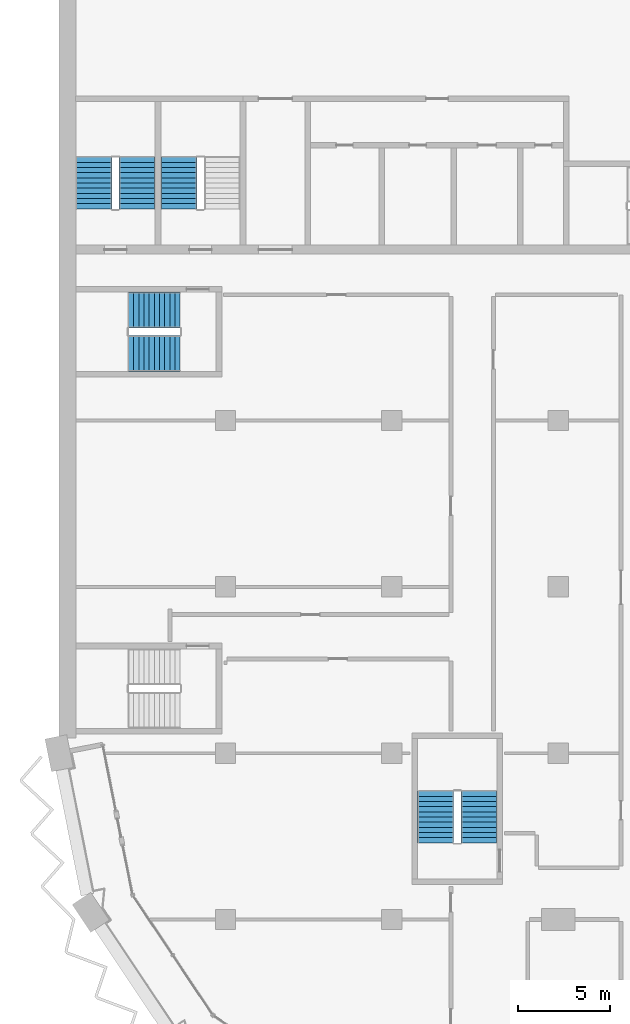
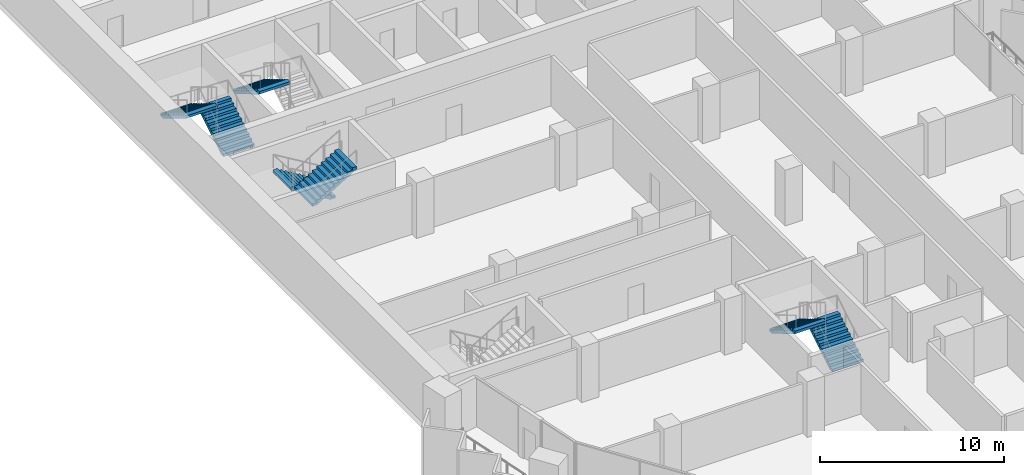
# One storey, part 12 of 17: 7 stair flights, 4 elements without a shape of their own.
"""IFC4 building model written with IfcOpenShell, lengths in metres."""

from ifc_helpers import new_model, si_unit, direction, frame, origin, place, context, subcontext, project, spatial, polyline, outline, extrude, material, type_object, element, aggregate, save


model = new_model("IFC4")

# Units and contexts
model_context = context("Model", 3, precision=1e-05, world=origin(), true_north=direction((0.0, 1.0)))
body_context = subcontext(model_context, "Body", "Model", "MODEL_VIEW")
ifc_project = project(units=[si_unit("LENGTHUNIT", "METRE"), si_unit("AREAUNIT", "SQUARE_METRE"), si_unit("VOLUMEUNIT", "CUBIC_METRE"), si_unit("PLANEANGLEUNIT", "RADIAN"), si_unit("MASSUNIT", "GRAM", prefix="KILO")], contexts=[model_context])

# Site, building, storey
site_placement = place(None, origin())
site = spatial("IfcSite", under=ifc_project, at=site_placement, CompositionType="ELEMENT")
building_placement = place(site_placement, origin())
building = spatial("IfcBuilding", under=site, at=building_placement, Name="Hunhe Ridgeline Campus", CompositionType="ELEMENT")
storey_placement = place(building_placement, frame((0.0, 0.0, 212.39990234375)))
storey = spatial("IfcBuildingStorey", under=building, at=storey_placement, Name="L54", CompositionType="ELEMENT", Elevation=212.39990234375)

# Stair, stair flights
ifc_material = material(Name="Concrete C40", Category="concrete")
stair_type = type_object("IfcStairType", Name="Reinforced concrete dog-leg stair 1950 Concrete C40", PredefinedType="HALF_TURN_STAIR", material=ifc_material)
stair_1_placement = place(storey_placement, origin())
stair_1 = element("IfcStair", 1, at=stair_1_placement, inside=storey, type_object=stair_type, Name="L54 S3", PredefinedType="HALF_TURN_STAIR")
stair_flight_type = type_object("IfcStairFlightType", Name="Reinforced concrete stair flight 1950 Concrete C40", PredefinedType="STRAIGHT", material=ifc_material)
stair_flight_1_placement = place(storey_placement, frame((4.22509765625, 65.449951171875, 0.0), z_axis=(0.0, 0.0, 1.0), x_axis=(0.0, 1.0, 0.0)))
stair_flight_1 = element("IfcStairFlight", 2, at=stair_flight_1_placement, type_object=stair_flight_type, Name="ST3 flight 1", NumberOfRisers=11, NumberOfTreads=10, PredefinedType="STRAIGHT", RiserHeight=0.168181818, TreadLength=0.28, context=body_context, shape_type="SweptSolid", body=[
    extrude(outline(polyline([(0.0, 0.0), (0.0, 0.168212890625), (0.280029296875, 0.168212890625), (0.280029296875, 0.33642578125), (0.56005859375, 0.33642578125), (0.56005859375, 0.504638671875), (0.840087890625, 0.504638671875), (0.840087890625, 0.672607421875), (1.1201171875, 0.672607421875), (1.1201171875, 0.8408203125), (1.39990234375, 0.8408203125), (1.39990234375, 1.009033203125), (1.679931640625, 1.009033203125), (1.679931640625, 1.17724609375), (1.9599609375, 1.17724609375), (1.9599609375, 1.345458984375), (2.239990234375, 1.345458984375), (2.239990234375, 1.513671875), (2.52001953125, 1.513671875), (2.52001953125, 1.681884765625), (2.800048828125, 1.681884765625), (2.800048828125, 1.85009765625), (2.800048828125, 1.5068359375), (0.291015625, 0.0), (0.0, 0.0)])), frame((0.0, 0.97509765625, 0.0), z_axis=(0.0, -1.0, 0.0), x_axis=(1.0, 0.0, 0.0)), (0.0, 0.0, 1.0), 1.949951171875),
    extrude(outline(polyline([(0.030029296875, 0.030029296875), (0.030029296875, 0.13818359375), (0.31005859375, 0.13818359375), (0.31005859375, 0.306396484375), (0.590087890625, 0.306396484375), (0.590087890625, 0.474609375), (0.8701171875, 0.474609375), (0.8701171875, 0.642578125), (1.14990234375, 0.642578125), (1.14990234375, 0.810791015625), (1.429931640625, 0.810791015625), (1.429931640625, 0.97900390625), (1.7099609375, 0.97900390625), (1.7099609375, 1.147216796875), (1.989990234375, 1.147216796875), (1.989990234375, 1.3154296875), (2.27001953125, 1.3154296875), (2.27001953125, 1.483642578125), (2.550048828125, 1.483642578125), (2.550048828125, 1.65185546875), (2.77001953125, 1.65185546875), (2.77001953125, 1.52392578125), (0.28271484375, 0.030029296875), (0.030029296875, 0.030029296875)])), frame((0.0, -0.070068359375, 0.0), z_axis=(0.0, -1.0, 0.0), x_axis=(1.0, 0.0, 0.0)), (0.0, 0.0, 1.0), 0.019775390625),
    extrude(outline(polyline([(0.030029296875, 0.030029296875), (0.030029296875, 0.13818359375), (0.31005859375, 0.13818359375), (0.31005859375, 0.306396484375), (0.590087890625, 0.306396484375), (0.590087890625, 0.474609375), (0.8701171875, 0.474609375), (0.8701171875, 0.642578125), (1.14990234375, 0.642578125), (1.14990234375, 0.810791015625), (1.429931640625, 0.810791015625), (1.429931640625, 0.97900390625), (1.7099609375, 0.97900390625), (1.7099609375, 1.147216796875), (1.989990234375, 1.147216796875), (1.989990234375, 1.3154296875), (2.27001953125, 1.3154296875), (2.27001953125, 1.483642578125), (2.550048828125, 1.483642578125), (2.550048828125, 1.65185546875), (2.77001953125, 1.65185546875), (2.77001953125, 1.52392578125), (0.28271484375, 0.030029296875), (0.030029296875, 0.030029296875)])), frame((0.0, 0.010009765625, 0.0), z_axis=(0.0, -1.0, 0.0), x_axis=(1.0, 0.0, 0.0)), (0.0, 0.0, 1.0), 0.019775390625),
    extrude(outline(polyline([(0.030029296875, 0.030029296875), (0.030029296875, 0.13818359375), (0.31005859375, 0.13818359375), (0.31005859375, 0.306396484375), (0.590087890625, 0.306396484375), (0.590087890625, 0.474609375), (0.8701171875, 0.474609375), (0.8701171875, 0.642578125), (1.14990234375, 0.642578125), (1.14990234375, 0.810791015625), (1.429931640625, 0.810791015625), (1.429931640625, 0.97900390625), (1.7099609375, 0.97900390625), (1.7099609375, 1.147216796875), (1.989990234375, 1.147216796875), (1.989990234375, 1.3154296875), (2.27001953125, 1.3154296875), (2.27001953125, 1.483642578125), (2.550048828125, 1.483642578125), (2.550048828125, 1.65185546875), (2.77001953125, 1.65185546875), (2.77001953125, 1.52392578125), (0.28271484375, 0.030029296875), (0.030029296875, 0.030029296875)])), frame((0.0, 0.090087890625, 0.0), z_axis=(0.0, -1.0, 0.0), x_axis=(1.0, 0.0, 0.0)), (0.0, 0.0, 1.0), 0.019775390625),
])
stair_flight_2_placement = place(storey_placement, frame((1.875, 68.25, 1.85009765625), z_axis=(0.0, 0.0, 1.0), x_axis=(0.0, -1.0, 0.0)))
stair_flight_2 = element("IfcStairFlight", 3, at=stair_flight_2_placement, type_object=stair_flight_type, Name="ST3 flight 2", NumberOfRisers=11, NumberOfTreads=10, PredefinedType="STRAIGHT", RiserHeight=0.168181818, TreadLength=0.28, context=body_context, shape_type="SweptSolid", body=[
    extrude(outline(polyline([(0.0, 0.0), (0.0, 0.168212890625), (0.280029296875, 0.168212890625), (0.280029296875, 0.33642578125), (0.56005859375, 0.33642578125), (0.56005859375, 0.504638671875), (0.840087890625, 0.504638671875), (0.840087890625, 0.672607421875), (1.1201171875, 0.672607421875), (1.1201171875, 0.8408203125), (1.39990234375, 0.8408203125), (1.39990234375, 1.009033203125), (1.679931640625, 1.009033203125), (1.679931640625, 1.17724609375), (1.9599609375, 1.17724609375), (1.9599609375, 1.345458984375), (2.239990234375, 1.345458984375), (2.239990234375, 1.513671875), (2.52001953125, 1.513671875), (2.52001953125, 1.681884765625), (2.800048828125, 1.681884765625), (2.800048828125, 1.85009765625), (2.800048828125, 1.5068359375), (0.291015625, 0.0), (0.0, 0.0)])), frame((0.0, 0.97509765625, 0.0), z_axis=(0.0, -1.0, 0.0), x_axis=(1.0, 0.0, 0.0)), (0.0, 0.0, 1.0), 1.949951171875),
    extrude(outline(polyline([(0.030029296875, 0.030029296875), (0.030029296875, 0.13818359375), (0.31005859375, 0.13818359375), (0.31005859375, 0.306396484375), (0.590087890625, 0.306396484375), (0.590087890625, 0.474609375), (0.8701171875, 0.474609375), (0.8701171875, 0.642578125), (1.14990234375, 0.642578125), (1.14990234375, 0.810791015625), (1.429931640625, 0.810791015625), (1.429931640625, 0.97900390625), (1.7099609375, 0.97900390625), (1.7099609375, 1.147216796875), (1.989990234375, 1.147216796875), (1.989990234375, 1.3154296875), (2.27001953125, 1.3154296875), (2.27001953125, 1.483642578125), (2.550048828125, 1.483642578125), (2.550048828125, 1.65185546875), (2.77001953125, 1.65185546875), (2.77001953125, 1.52392578125), (0.28271484375, 0.030029296875), (0.030029296875, 0.030029296875)])), frame((0.0, -0.070068359375, 0.0), z_axis=(0.0, -1.0, 0.0), x_axis=(1.0, 0.0, 0.0)), (0.0, 0.0, 1.0), 0.019775390625),
    extrude(outline(polyline([(0.030029296875, 0.030029296875), (0.030029296875, 0.13818359375), (0.31005859375, 0.13818359375), (0.31005859375, 0.306396484375), (0.590087890625, 0.306396484375), (0.590087890625, 0.474609375), (0.8701171875, 0.474609375), (0.8701171875, 0.642578125), (1.14990234375, 0.642578125), (1.14990234375, 0.810791015625), (1.429931640625, 0.810791015625), (1.429931640625, 0.97900390625), (1.7099609375, 0.97900390625), (1.7099609375, 1.147216796875), (1.989990234375, 1.147216796875), (1.989990234375, 1.3154296875), (2.27001953125, 1.3154296875), (2.27001953125, 1.483642578125), (2.550048828125, 1.483642578125), (2.550048828125, 1.65185546875), (2.77001953125, 1.65185546875), (2.77001953125, 1.52392578125), (0.28271484375, 0.030029296875), (0.030029296875, 0.030029296875)])), frame((0.0, 0.010009765625, 0.0), z_axis=(0.0, -1.0, 0.0), x_axis=(1.0, 0.0, 0.0)), (0.0, 0.0, 1.0), 0.019775390625),
    extrude(outline(polyline([(0.030029296875, 0.030029296875), (0.030029296875, 0.13818359375), (0.31005859375, 0.13818359375), (0.31005859375, 0.306396484375), (0.590087890625, 0.306396484375), (0.590087890625, 0.474609375), (0.8701171875, 0.474609375), (0.8701171875, 0.642578125), (1.14990234375, 0.642578125), (1.14990234375, 0.810791015625), (1.429931640625, 0.810791015625), (1.429931640625, 0.97900390625), (1.7099609375, 0.97900390625), (1.7099609375, 1.147216796875), (1.989990234375, 1.147216796875), (1.989990234375, 1.3154296875), (2.27001953125, 1.3154296875), (2.27001953125, 1.483642578125), (2.550048828125, 1.483642578125), (2.550048828125, 1.65185546875), (2.77001953125, 1.65185546875), (2.77001953125, 1.52392578125), (0.28271484375, 0.030029296875), (0.030029296875, 0.030029296875)])), frame((0.0, 0.090087890625, 0.0), z_axis=(0.0, -1.0, 0.0), x_axis=(1.0, 0.0, 0.0)), (0.0, 0.0, 1.0), 0.019775390625),
])
aggregate(stair_1, [stair_flight_1, stair_flight_2])

# Stair, stair flight
stair_2_placement = place(storey_placement, origin())
stair_2 = element("IfcStair", 4, at=stair_2_placement, inside=storey, type_object=stair_type, Name="L54 S4", PredefinedType="HALF_TURN_STAIR")
stair_flight_3_placement = place(storey_placement, frame((6.47509765625, 68.25, 1.85009765625), z_axis=(0.0, 0.0, 1.0), x_axis=(0.0, -1.0, 0.0)))
stair_flight_3 = element("IfcStairFlight", 5, at=stair_flight_3_placement, type_object=stair_flight_type, Name="ST4 flight 2", NumberOfRisers=11, NumberOfTreads=10, PredefinedType="STRAIGHT", RiserHeight=0.168181818, TreadLength=0.28, context=body_context, shape_type="SweptSolid", body=[
    extrude(outline(polyline([(0.0, 0.0), (0.0, 0.168212890625), (0.280029296875, 0.168212890625), (0.280029296875, 0.33642578125), (0.56005859375, 0.33642578125), (0.56005859375, 0.504638671875), (0.840087890625, 0.504638671875), (0.840087890625, 0.672607421875), (1.1201171875, 0.672607421875), (1.1201171875, 0.8408203125), (1.39990234375, 0.8408203125), (1.39990234375, 1.009033203125), (1.679931640625, 1.009033203125), (1.679931640625, 1.17724609375), (1.9599609375, 1.17724609375), (1.9599609375, 1.345458984375), (2.239990234375, 1.345458984375), (2.239990234375, 1.513671875), (2.52001953125, 1.513671875), (2.52001953125, 1.681884765625), (2.800048828125, 1.681884765625), (2.800048828125, 1.85009765625), (2.800048828125, 1.5068359375), (0.291015625, 0.0), (0.0, 0.0)])), frame((0.0, 0.97509765625, 0.0), z_axis=(0.0, -1.0, 0.0), x_axis=(1.0, 0.0, 0.0)), (0.0, 0.0, 1.0), 1.949951171875),
    extrude(outline(polyline([(0.030029296875, 0.030029296875), (0.030029296875, 0.13818359375), (0.31005859375, 0.13818359375), (0.31005859375, 0.306396484375), (0.590087890625, 0.306396484375), (0.590087890625, 0.474609375), (0.8701171875, 0.474609375), (0.8701171875, 0.642578125), (1.14990234375, 0.642578125), (1.14990234375, 0.810791015625), (1.429931640625, 0.810791015625), (1.429931640625, 0.97900390625), (1.7099609375, 0.97900390625), (1.7099609375, 1.147216796875), (1.989990234375, 1.147216796875), (1.989990234375, 1.3154296875), (2.27001953125, 1.3154296875), (2.27001953125, 1.483642578125), (2.550048828125, 1.483642578125), (2.550048828125, 1.65185546875), (2.77001953125, 1.65185546875), (2.77001953125, 1.52392578125), (0.28271484375, 0.030029296875), (0.030029296875, 0.030029296875)])), frame((0.0, -0.070068359375, 0.0), z_axis=(0.0, -1.0, 0.0), x_axis=(1.0, 0.0, 0.0)), (0.0, 0.0, 1.0), 0.019775390625),
    extrude(outline(polyline([(0.030029296875, 0.030029296875), (0.030029296875, 0.13818359375), (0.31005859375, 0.13818359375), (0.31005859375, 0.306396484375), (0.590087890625, 0.306396484375), (0.590087890625, 0.474609375), (0.8701171875, 0.474609375), (0.8701171875, 0.642578125), (1.14990234375, 0.642578125), (1.14990234375, 0.810791015625), (1.429931640625, 0.810791015625), (1.429931640625, 0.97900390625), (1.7099609375, 0.97900390625), (1.7099609375, 1.147216796875), (1.989990234375, 1.147216796875), (1.989990234375, 1.3154296875), (2.27001953125, 1.3154296875), (2.27001953125, 1.483642578125), (2.550048828125, 1.483642578125), (2.550048828125, 1.65185546875), (2.77001953125, 1.65185546875), (2.77001953125, 1.52392578125), (0.28271484375, 0.030029296875), (0.030029296875, 0.030029296875)])), frame((0.0, 0.010009765625, 0.0), z_axis=(0.0, -1.0, 0.0), x_axis=(1.0, 0.0, 0.0)), (0.0, 0.0, 1.0), 0.019775390625),
    extrude(outline(polyline([(0.030029296875, 0.030029296875), (0.030029296875, 0.13818359375), (0.31005859375, 0.13818359375), (0.31005859375, 0.306396484375), (0.590087890625, 0.306396484375), (0.590087890625, 0.474609375), (0.8701171875, 0.474609375), (0.8701171875, 0.642578125), (1.14990234375, 0.642578125), (1.14990234375, 0.810791015625), (1.429931640625, 0.810791015625), (1.429931640625, 0.97900390625), (1.7099609375, 0.97900390625), (1.7099609375, 1.147216796875), (1.989990234375, 1.147216796875), (1.989990234375, 1.3154296875), (2.27001953125, 1.3154296875), (2.27001953125, 1.483642578125), (2.550048828125, 1.483642578125), (2.550048828125, 1.65185546875), (2.77001953125, 1.65185546875), (2.77001953125, 1.52392578125), (0.28271484375, 0.030029296875), (0.030029296875, 0.030029296875)])), frame((0.0, 0.090087890625, 0.0), z_axis=(0.0, -1.0, 0.0), x_axis=(1.0, 0.0, 0.0)), (0.0, 0.0, 1.0), 0.019775390625),
])
aggregate(stair_2, [stair_flight_3])

# Stair, stair flights
stair_3_placement = place(storey_placement, origin())
stair_3 = element("IfcStair", 6, at=stair_3_placement, inside=storey, type_object=stair_type, Name="L54 W3", PredefinedType="HALF_TURN_STAIR")
stair_flight_4_placement = place(storey_placement, frame((22.72509765625, 31.14990234375, 0.0), z_axis=(0.0, 0.0, 1.0), x_axis=(0.0, 1.0, 0.0)))
stair_flight_4 = element("IfcStairFlight", 7, at=stair_flight_4_placement, type_object=stair_flight_type, Name="ST9 flight 1", NumberOfRisers=11, NumberOfTreads=10, PredefinedType="STRAIGHT", RiserHeight=0.168181818, TreadLength=0.28, context=body_context, shape_type="SweptSolid", body=[
    extrude(outline(polyline([(0.0, 0.0), (0.0, 0.168212890625), (0.280029296875, 0.168212890625), (0.280029296875, 0.33642578125), (0.56005859375, 0.33642578125), (0.56005859375, 0.504638671875), (0.840087890625, 0.504638671875), (0.840087890625, 0.672607421875), (1.1201171875, 0.672607421875), (1.1201171875, 0.8408203125), (1.39990234375, 0.8408203125), (1.39990234375, 1.009033203125), (1.679931640625, 1.009033203125), (1.679931640625, 1.17724609375), (1.9599609375, 1.17724609375), (1.9599609375, 1.345458984375), (2.239990234375, 1.345458984375), (2.239990234375, 1.513671875), (2.52001953125, 1.513671875), (2.52001953125, 1.681884765625), (2.800048828125, 1.681884765625), (2.800048828125, 1.85009765625), (2.800048828125, 1.5068359375), (0.291015625, 0.0), (0.0, 0.0)])), frame((0.0, 0.97509765625, 0.0), z_axis=(0.0, -1.0, 0.0), x_axis=(1.0, 0.0, 0.0)), (0.0, 0.0, 1.0), 1.949951171875),
    extrude(outline(polyline([(0.030029296875, 0.030029296875), (0.030029296875, 0.13818359375), (0.31005859375, 0.13818359375), (0.31005859375, 0.306396484375), (0.590087890625, 0.306396484375), (0.590087890625, 0.474609375), (0.8701171875, 0.474609375), (0.8701171875, 0.642578125), (1.14990234375, 0.642578125), (1.14990234375, 0.810791015625), (1.429931640625, 0.810791015625), (1.429931640625, 0.97900390625), (1.7099609375, 0.97900390625), (1.7099609375, 1.147216796875), (1.989990234375, 1.147216796875), (1.989990234375, 1.3154296875), (2.27001953125, 1.3154296875), (2.27001953125, 1.483642578125), (2.550048828125, 1.483642578125), (2.550048828125, 1.65185546875), (2.77001953125, 1.65185546875), (2.77001953125, 1.52392578125), (0.28271484375, 0.030029296875), (0.030029296875, 0.030029296875)])), frame((0.0, -0.070068359375, 0.0), z_axis=(0.0, -1.0, 0.0), x_axis=(1.0, 0.0, 0.0)), (0.0, 0.0, 1.0), 0.019775390625),
    extrude(outline(polyline([(0.030029296875, 0.030029296875), (0.030029296875, 0.13818359375), (0.31005859375, 0.13818359375), (0.31005859375, 0.306396484375), (0.590087890625, 0.306396484375), (0.590087890625, 0.474609375), (0.8701171875, 0.474609375), (0.8701171875, 0.642578125), (1.14990234375, 0.642578125), (1.14990234375, 0.810791015625), (1.429931640625, 0.810791015625), (1.429931640625, 0.97900390625), (1.7099609375, 0.97900390625), (1.7099609375, 1.147216796875), (1.989990234375, 1.147216796875), (1.989990234375, 1.3154296875), (2.27001953125, 1.3154296875), (2.27001953125, 1.483642578125), (2.550048828125, 1.483642578125), (2.550048828125, 1.65185546875), (2.77001953125, 1.65185546875), (2.77001953125, 1.52392578125), (0.28271484375, 0.030029296875), (0.030029296875, 0.030029296875)])), frame((0.0, 0.010009765625, 0.0), z_axis=(0.0, -1.0, 0.0), x_axis=(1.0, 0.0, 0.0)), (0.0, 0.0, 1.0), 0.019775390625),
    extrude(outline(polyline([(0.030029296875, 0.030029296875), (0.030029296875, 0.13818359375), (0.31005859375, 0.13818359375), (0.31005859375, 0.306396484375), (0.590087890625, 0.306396484375), (0.590087890625, 0.474609375), (0.8701171875, 0.474609375), (0.8701171875, 0.642578125), (1.14990234375, 0.642578125), (1.14990234375, 0.810791015625), (1.429931640625, 0.810791015625), (1.429931640625, 0.97900390625), (1.7099609375, 0.97900390625), (1.7099609375, 1.147216796875), (1.989990234375, 1.147216796875), (1.989990234375, 1.3154296875), (2.27001953125, 1.3154296875), (2.27001953125, 1.483642578125), (2.550048828125, 1.483642578125), (2.550048828125, 1.65185546875), (2.77001953125, 1.65185546875), (2.77001953125, 1.52392578125), (0.28271484375, 0.030029296875), (0.030029296875, 0.030029296875)])), frame((0.0, 0.090087890625, 0.0), z_axis=(0.0, -1.0, 0.0), x_axis=(1.0, 0.0, 0.0)), (0.0, 0.0, 1.0), 0.019775390625),
])
stair_flight_5_placement = place(storey_placement, frame((20.375, 33.949951171875, 1.85009765625), z_axis=(0.0, 0.0, 1.0), x_axis=(0.0, -1.0, 0.0)))
stair_flight_5 = element("IfcStairFlight", 8, at=stair_flight_5_placement, type_object=stair_flight_type, Name="ST9 flight 2", NumberOfRisers=11, NumberOfTreads=10, PredefinedType="STRAIGHT", RiserHeight=0.168181818, TreadLength=0.28, context=body_context, shape_type="SweptSolid", body=[
    extrude(outline(polyline([(0.0, 0.0), (0.0, 0.168212890625), (0.280029296875, 0.168212890625), (0.280029296875, 0.33642578125), (0.56005859375, 0.33642578125), (0.56005859375, 0.504638671875), (0.840087890625, 0.504638671875), (0.840087890625, 0.672607421875), (1.1201171875, 0.672607421875), (1.1201171875, 0.8408203125), (1.39990234375, 0.8408203125), (1.39990234375, 1.009033203125), (1.679931640625, 1.009033203125), (1.679931640625, 1.17724609375), (1.9599609375, 1.17724609375), (1.9599609375, 1.345458984375), (2.239990234375, 1.345458984375), (2.239990234375, 1.513671875), (2.52001953125, 1.513671875), (2.52001953125, 1.681884765625), (2.800048828125, 1.681884765625), (2.800048828125, 1.85009765625), (2.800048828125, 1.5068359375), (0.291015625, 0.0), (0.0, 0.0)])), frame((0.0, 0.97509765625, 0.0), z_axis=(0.0, -1.0, 0.0), x_axis=(1.0, 0.0, 0.0)), (0.0, 0.0, 1.0), 1.949951171875),
    extrude(outline(polyline([(0.030029296875, 0.030029296875), (0.030029296875, 0.13818359375), (0.31005859375, 0.13818359375), (0.31005859375, 0.306396484375), (0.590087890625, 0.306396484375), (0.590087890625, 0.474609375), (0.8701171875, 0.474609375), (0.8701171875, 0.642578125), (1.14990234375, 0.642578125), (1.14990234375, 0.810791015625), (1.429931640625, 0.810791015625), (1.429931640625, 0.97900390625), (1.7099609375, 0.97900390625), (1.7099609375, 1.147216796875), (1.989990234375, 1.147216796875), (1.989990234375, 1.3154296875), (2.27001953125, 1.3154296875), (2.27001953125, 1.483642578125), (2.550048828125, 1.483642578125), (2.550048828125, 1.65185546875), (2.77001953125, 1.65185546875), (2.77001953125, 1.52392578125), (0.28271484375, 0.030029296875), (0.030029296875, 0.030029296875)])), frame((0.0, -0.070068359375, 0.0), z_axis=(0.0, -1.0, 0.0), x_axis=(1.0, 0.0, 0.0)), (0.0, 0.0, 1.0), 0.019775390625),
    extrude(outline(polyline([(0.030029296875, 0.030029296875), (0.030029296875, 0.13818359375), (0.31005859375, 0.13818359375), (0.31005859375, 0.306396484375), (0.590087890625, 0.306396484375), (0.590087890625, 0.474609375), (0.8701171875, 0.474609375), (0.8701171875, 0.642578125), (1.14990234375, 0.642578125), (1.14990234375, 0.810791015625), (1.429931640625, 0.810791015625), (1.429931640625, 0.97900390625), (1.7099609375, 0.97900390625), (1.7099609375, 1.147216796875), (1.989990234375, 1.147216796875), (1.989990234375, 1.3154296875), (2.27001953125, 1.3154296875), (2.27001953125, 1.483642578125), (2.550048828125, 1.483642578125), (2.550048828125, 1.65185546875), (2.77001953125, 1.65185546875), (2.77001953125, 1.52392578125), (0.28271484375, 0.030029296875), (0.030029296875, 0.030029296875)])), frame((0.0, 0.010009765625, 0.0), z_axis=(0.0, -1.0, 0.0), x_axis=(1.0, 0.0, 0.0)), (0.0, 0.0, 1.0), 0.019775390625),
    extrude(outline(polyline([(0.030029296875, 0.030029296875), (0.030029296875, 0.13818359375), (0.31005859375, 0.13818359375), (0.31005859375, 0.306396484375), (0.590087890625, 0.306396484375), (0.590087890625, 0.474609375), (0.8701171875, 0.474609375), (0.8701171875, 0.642578125), (1.14990234375, 0.642578125), (1.14990234375, 0.810791015625), (1.429931640625, 0.810791015625), (1.429931640625, 0.97900390625), (1.7099609375, 0.97900390625), (1.7099609375, 1.147216796875), (1.989990234375, 1.147216796875), (1.989990234375, 1.3154296875), (2.27001953125, 1.3154296875), (2.27001953125, 1.483642578125), (2.550048828125, 1.483642578125), (2.550048828125, 1.65185546875), (2.77001953125, 1.65185546875), (2.77001953125, 1.52392578125), (0.28271484375, 0.030029296875), (0.030029296875, 0.030029296875)])), frame((0.0, 0.090087890625, 0.0), z_axis=(0.0, -1.0, 0.0), x_axis=(1.0, 0.0, 0.0)), (0.0, 0.0, 1.0), 0.019775390625),
])
aggregate(stair_3, [stair_flight_4, stair_flight_5])

stair_4_placement = place(storey_placement, origin())
stair_4 = element("IfcStair", 9, at=stair_4_placement, inside=storey, type_object=stair_type, Name="L54 W2", PredefinedType="HALF_TURN_STAIR")
stair_flight_6_placement = place(storey_placement, frame((6.550048828125, 59.97509765625, 0.0), z_axis=(0.0, 0.0, 1.0), x_axis=(-1.0, 0.0, 0.0)))
stair_flight_6 = element("IfcStairFlight", 10, at=stair_flight_6_placement, type_object=stair_flight_type, Name="ST12 flight 1", NumberOfRisers=11, NumberOfTreads=10, PredefinedType="STRAIGHT", RiserHeight=0.168181818, TreadLength=0.28, context=body_context, shape_type="SweptSolid", body=[
    extrude(outline(polyline([(0.0, 0.0), (0.0, 0.168212890625), (0.280029296875, 0.168212890625), (0.280029296875, 0.33642578125), (0.56005859375, 0.33642578125), (0.56005859375, 0.504638671875), (0.840087890625, 0.504638671875), (0.840087890625, 0.672607421875), (1.1201171875, 0.672607421875), (1.1201171875, 0.8408203125), (1.39990234375, 0.8408203125), (1.39990234375, 1.009033203125), (1.679931640625, 1.009033203125), (1.679931640625, 1.17724609375), (1.9599609375, 1.17724609375), (1.9599609375, 1.345458984375), (2.239990234375, 1.345458984375), (2.239990234375, 1.513671875), (2.52001953125, 1.513671875), (2.52001953125, 1.681884765625), (2.800048828125, 1.681884765625), (2.800048828125, 1.85009765625), (2.800048828125, 1.5068359375), (0.291015625, 0.0), (0.0, 0.0)])), frame((0.0, 0.97509765625, 0.0), z_axis=(0.0, -1.0, 0.0), x_axis=(1.0, 0.0, 0.0)), (0.0, 0.0, 1.0), 1.949951171875),
    extrude(outline(polyline([(0.030029296875, 0.030029296875), (0.030029296875, 0.13818359375), (0.31005859375, 0.13818359375), (0.31005859375, 0.306396484375), (0.590087890625, 0.306396484375), (0.590087890625, 0.474609375), (0.8701171875, 0.474609375), (0.8701171875, 0.642578125), (1.14990234375, 0.642578125), (1.14990234375, 0.810791015625), (1.429931640625, 0.810791015625), (1.429931640625, 0.97900390625), (1.7099609375, 0.97900390625), (1.7099609375, 1.147216796875), (1.989990234375, 1.147216796875), (1.989990234375, 1.3154296875), (2.27001953125, 1.3154296875), (2.27001953125, 1.483642578125), (2.550048828125, 1.483642578125), (2.550048828125, 1.65185546875), (2.77001953125, 1.65185546875), (2.77001953125, 1.52392578125), (0.28271484375, 0.030029296875), (0.030029296875, 0.030029296875)])), frame((0.0, -0.070068359375, 0.0), z_axis=(0.0, -1.0, 0.0), x_axis=(1.0, 0.0, 0.0)), (0.0, 0.0, 1.0), 0.019775390625),
    extrude(outline(polyline([(0.030029296875, 0.030029296875), (0.030029296875, 0.13818359375), (0.31005859375, 0.13818359375), (0.31005859375, 0.306396484375), (0.590087890625, 0.306396484375), (0.590087890625, 0.474609375), (0.8701171875, 0.474609375), (0.8701171875, 0.642578125), (1.14990234375, 0.642578125), (1.14990234375, 0.810791015625), (1.429931640625, 0.810791015625), (1.429931640625, 0.97900390625), (1.7099609375, 0.97900390625), (1.7099609375, 1.147216796875), (1.989990234375, 1.147216796875), (1.989990234375, 1.3154296875), (2.27001953125, 1.3154296875), (2.27001953125, 1.483642578125), (2.550048828125, 1.483642578125), (2.550048828125, 1.65185546875), (2.77001953125, 1.65185546875), (2.77001953125, 1.52392578125), (0.28271484375, 0.030029296875), (0.030029296875, 0.030029296875)])), frame((0.0, 0.010009765625, 0.0), z_axis=(0.0, -1.0, 0.0), x_axis=(1.0, 0.0, 0.0)), (0.0, 0.0, 1.0), 0.019775390625),
    extrude(outline(polyline([(0.030029296875, 0.030029296875), (0.030029296875, 0.13818359375), (0.31005859375, 0.13818359375), (0.31005859375, 0.306396484375), (0.590087890625, 0.306396484375), (0.590087890625, 0.474609375), (0.8701171875, 0.474609375), (0.8701171875, 0.642578125), (1.14990234375, 0.642578125), (1.14990234375, 0.810791015625), (1.429931640625, 0.810791015625), (1.429931640625, 0.97900390625), (1.7099609375, 0.97900390625), (1.7099609375, 1.147216796875), (1.989990234375, 1.147216796875), (1.989990234375, 1.3154296875), (2.27001953125, 1.3154296875), (2.27001953125, 1.483642578125), (2.550048828125, 1.483642578125), (2.550048828125, 1.65185546875), (2.77001953125, 1.65185546875), (2.77001953125, 1.52392578125), (0.28271484375, 0.030029296875), (0.030029296875, 0.030029296875)])), frame((0.0, 0.090087890625, 0.0), z_axis=(0.0, -1.0, 0.0), x_axis=(1.0, 0.0, 0.0)), (0.0, 0.0, 1.0), 0.019775390625),
])
stair_flight_7_placement = place(storey_placement, frame((3.75, 57.625, 1.85009765625), z_axis=(0.0, 0.0, 1.0), x_axis=(1.0, 0.0, 0.0)))
stair_flight_7 = element("IfcStairFlight", 11, at=stair_flight_7_placement, type_object=stair_flight_type, Name="ST12 flight 2", NumberOfRisers=11, NumberOfTreads=10, PredefinedType="STRAIGHT", RiserHeight=0.168181818, TreadLength=0.28, context=body_context, shape_type="SweptSolid", body=[
    extrude(outline(polyline([(0.0, 0.0), (0.0, 0.168212890625), (0.280029296875, 0.168212890625), (0.280029296875, 0.33642578125), (0.56005859375, 0.33642578125), (0.56005859375, 0.504638671875), (0.840087890625, 0.504638671875), (0.840087890625, 0.672607421875), (1.1201171875, 0.672607421875), (1.1201171875, 0.8408203125), (1.39990234375, 0.8408203125), (1.39990234375, 1.009033203125), (1.679931640625, 1.009033203125), (1.679931640625, 1.17724609375), (1.9599609375, 1.17724609375), (1.9599609375, 1.345458984375), (2.239990234375, 1.345458984375), (2.239990234375, 1.513671875), (2.52001953125, 1.513671875), (2.52001953125, 1.681884765625), (2.800048828125, 1.681884765625), (2.800048828125, 1.85009765625), (2.800048828125, 1.5068359375), (0.291015625, 0.0), (0.0, 0.0)])), frame((0.0, 0.97509765625, 0.0), z_axis=(0.0, -1.0, 0.0), x_axis=(1.0, 0.0, 0.0)), (0.0, 0.0, 1.0), 1.949951171875),
    extrude(outline(polyline([(0.030029296875, 0.030029296875), (0.030029296875, 0.13818359375), (0.31005859375, 0.13818359375), (0.31005859375, 0.306396484375), (0.590087890625, 0.306396484375), (0.590087890625, 0.474609375), (0.8701171875, 0.474609375), (0.8701171875, 0.642578125), (1.14990234375, 0.642578125), (1.14990234375, 0.810791015625), (1.429931640625, 0.810791015625), (1.429931640625, 0.97900390625), (1.7099609375, 0.97900390625), (1.7099609375, 1.147216796875), (1.989990234375, 1.147216796875), (1.989990234375, 1.3154296875), (2.27001953125, 1.3154296875), (2.27001953125, 1.483642578125), (2.550048828125, 1.483642578125), (2.550048828125, 1.65185546875), (2.77001953125, 1.65185546875), (2.77001953125, 1.52392578125), (0.28271484375, 0.030029296875), (0.030029296875, 0.030029296875)])), frame((0.0, -0.070068359375, 0.0), z_axis=(0.0, -1.0, 0.0), x_axis=(1.0, 0.0, 0.0)), (0.0, 0.0, 1.0), 0.019775390625),
    extrude(outline(polyline([(0.030029296875, 0.030029296875), (0.030029296875, 0.13818359375), (0.31005859375, 0.13818359375), (0.31005859375, 0.306396484375), (0.590087890625, 0.306396484375), (0.590087890625, 0.474609375), (0.8701171875, 0.474609375), (0.8701171875, 0.642578125), (1.14990234375, 0.642578125), (1.14990234375, 0.810791015625), (1.429931640625, 0.810791015625), (1.429931640625, 0.97900390625), (1.7099609375, 0.97900390625), (1.7099609375, 1.147216796875), (1.989990234375, 1.147216796875), (1.989990234375, 1.3154296875), (2.27001953125, 1.3154296875), (2.27001953125, 1.483642578125), (2.550048828125, 1.483642578125), (2.550048828125, 1.65185546875), (2.77001953125, 1.65185546875), (2.77001953125, 1.52392578125), (0.28271484375, 0.030029296875), (0.030029296875, 0.030029296875)])), frame((0.0, 0.010009765625, 0.0), z_axis=(0.0, -1.0, 0.0), x_axis=(1.0, 0.0, 0.0)), (0.0, 0.0, 1.0), 0.019775390625),
    extrude(outline(polyline([(0.030029296875, 0.030029296875), (0.030029296875, 0.13818359375), (0.31005859375, 0.13818359375), (0.31005859375, 0.306396484375), (0.590087890625, 0.306396484375), (0.590087890625, 0.474609375), (0.8701171875, 0.474609375), (0.8701171875, 0.642578125), (1.14990234375, 0.642578125), (1.14990234375, 0.810791015625), (1.429931640625, 0.810791015625), (1.429931640625, 0.97900390625), (1.7099609375, 0.97900390625), (1.7099609375, 1.147216796875), (1.989990234375, 1.147216796875), (1.989990234375, 1.3154296875), (2.27001953125, 1.3154296875), (2.27001953125, 1.483642578125), (2.550048828125, 1.483642578125), (2.550048828125, 1.65185546875), (2.77001953125, 1.65185546875), (2.77001953125, 1.52392578125), (0.28271484375, 0.030029296875), (0.030029296875, 0.030029296875)])), frame((0.0, 0.090087890625, 0.0), z_axis=(0.0, -1.0, 0.0), x_axis=(1.0, 0.0, 0.0)), (0.0, 0.0, 1.0), 0.019775390625),
])
aggregate(stair_4, [stair_flight_6, stair_flight_7])

save(model, "model.ifc")
